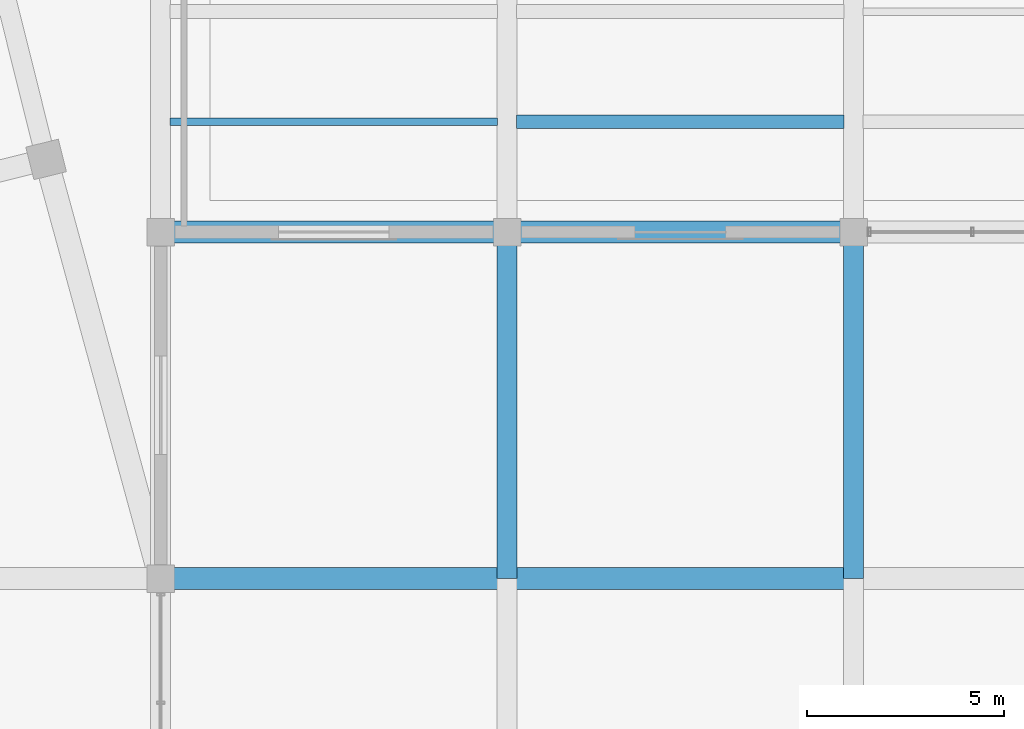
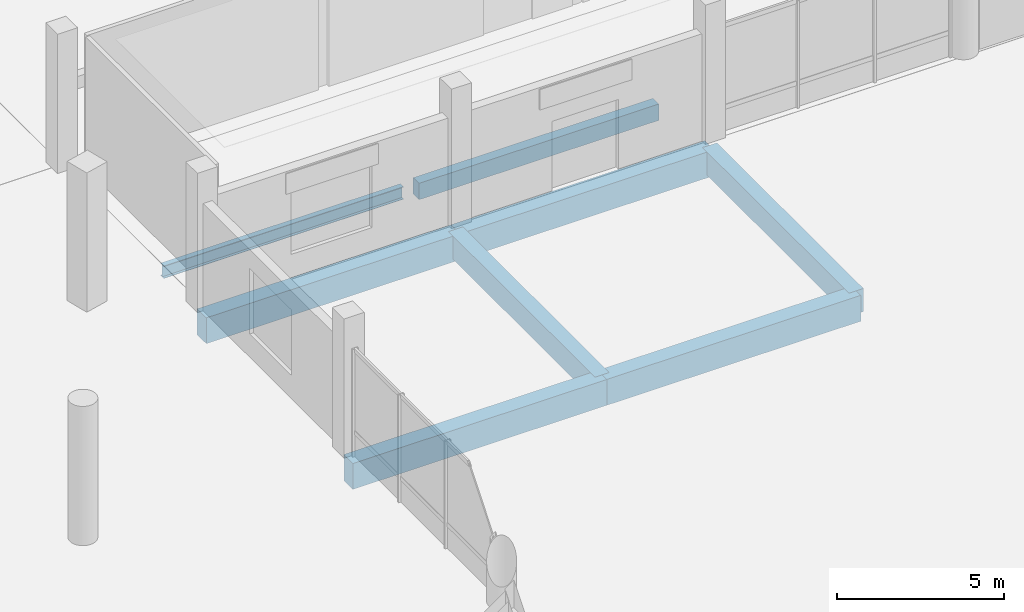
# One storey, part 20 of 73: 8 beams.
"""IFC4 building model written with IfcOpenShell, lengths in metres."""

import ifcopenshell
import ifcopenshell.guid

model = None  # the IFC model being written
_history = None  # IfcOwnerHistory: only IFC2X3 demands one
_inside = {}  # id of a spatial element -> (the spatial element, [elements in it])
_under = {}  # id of a project, library or spatial element -> (it, [spatial elements below it])
_declared = {}  # id of a project -> (the project, [libraries it declares])
_typed = {}  # id of a type object -> (the type object, [elements of that type])
_made_of = {}  # id of a material, layer set ... -> (it, [elements and type objects made of it])


def new_model(schema):
    """Start an empty IFC model of exactly this schema.

    Asked for "IFC4X3", IfcOpenShell would pick the latest addendum, in which some entities
    have other attributes; the version numbers below select the first issue.
    IFC2X3 requires an IfcOwnerHistory on every rooted entity: one is made here for all.
    """
    global model, _history
    if schema == "IFC4X3":
        model = ifcopenshell.file(schema_version=(4, 3, 0, 0))
    else:
        model = ifcopenshell.file(schema=schema)
    _inside.clear()
    _under.clear()
    _declared.clear()
    _typed.clear()
    _made_of.clear()
    _history = None
    if model.schema == "IFC2X3":
        org = make("IfcOrganization", Name="unknown")
        user = make(
            "IfcPersonAndOrganization",
            ThePerson=make("IfcPerson", FamilyName="unknown"),
            TheOrganization=org,
        )
        app = make(
            "IfcApplication",
            ApplicationDeveloper=org,
            Version="unknown",
            ApplicationFullName="unknown",
            ApplicationIdentifier="unknown",
        )
        _history = make(
            "IfcOwnerHistory",
            OwningUser=user,
            OwningApplication=app,
            ChangeAction="ADDED",
            CreationDate=0,
        )
    return model


def make(cls, **values):
    """One entity of the class cls with the attributes given. An attribute that is None is left unset."""
    return model.create_entity(
        cls, **{name: value for name, value in values.items() if value is not None}
    )


def rooted(cls, **values):
    """An entity with a GlobalId (a new one), such as an element, a storey or a relation."""
    return make(cls, GlobalId=ifcopenshell.guid.new(), OwnerHistory=_history, **values)


def si_unit(unit_type, name, prefix=None):
    """IfcSIUnit, for example si_unit("LENGTHUNIT", "METRE", prefix="MILLI")."""
    return make("IfcSIUnit", UnitType=unit_type, Prefix=prefix, Name=name)


def assignment(units):
    """IfcUnitAssignment: the units of a project."""
    return None if units is None else make("IfcUnitAssignment", Units=units)


def point(xyz):
    """IfcCartesianPoint."""
    return None if xyz is None else make("IfcCartesianPoint", Coordinates=xyz)


def direction(xyz):
    """IfcDirection."""
    return None if xyz is None else make("IfcDirection", DirectionRatios=xyz)


def frame(location, z_axis=None, x_axis=None):
    """IfcAxis2Placement3D, a coordinate frame: its origin and axes. An axis left out is left unset."""
    return make(
        "IfcAxis2Placement3D",
        Location=point(location),
        Axis=direction(z_axis),
        RefDirection=direction(x_axis),
    )


def frame_2d(location, x_axis=None):
    """IfcAxis2Placement2D, a coordinate frame in the plane: its origin and x axis."""
    return make(
        "IfcAxis2Placement2D", Location=point(location), RefDirection=direction(x_axis)
    )


def origin():
    """The frame at (0, 0, 0) with its axes left unset."""
    return frame((0.0, 0.0, 0.0))


def origin_2d():
    """The frame at (0, 0) in the plane with its x axis left unset."""
    return frame_2d((0.0, 0.0))


def place(relative_to, where):
    """IfcLocalPlacement: puts the frame where relative to a parent placement (None: the world)."""
    return make(
        "IfcLocalPlacement", PlacementRelTo=relative_to, RelativePlacement=where
    )


def context(
    kind, dimensions, precision=None, world=None, true_north=None, identifier=None
):
    """IfcGeometricRepresentationContext, for example the 3D "Model" context."""
    return make(
        "IfcGeometricRepresentationContext",
        ContextIdentifier=identifier,
        ContextType=kind,
        CoordinateSpaceDimension=dimensions,
        Precision=precision,
        WorldCoordinateSystem=world,
        TrueNorth=true_north,
    )


def subcontext(parent, identifier, kind, view, scale=None):
    """IfcGeometricRepresentationSubContext, for example "Body" below "Model"."""
    return make(
        "IfcGeometricRepresentationSubContext",
        ContextIdentifier=identifier,
        ContextType=kind,
        ParentContext=parent,
        TargetScale=scale,
        TargetView=view,
    )


def project(units=None, contexts=None):
    """IfcProject with its units and contexts."""
    return rooted(
        "IfcProject",
        Name="project",
        RepresentationContexts=contexts,
        UnitsInContext=assignment(units),
    )


def spatial(cls, under=None, at=None, **own):
    """A site, building, storey or space (cls), placed at a placement, below another one or the project."""
    s = rooted(cls, ObjectPlacement=at, **own)
    if under is not None:
        _under.setdefault(under.id(), (under, []))[1].append(s)
    return s


def profile(cls, at=None, kind="AREA", **sizes):
    """A parametric profile (cls). Its sizes go by their IFC names, for example OverallWidth=200.0."""
    return make(cls, ProfileType=kind, Position=at, **sizes)


def rectangle(**sizes):
    """IfcRectangleProfileDef."""
    return profile("IfcRectangleProfileDef", **sizes)


def i_section(**sizes):
    """IfcIShapeProfileDef."""
    return profile("IfcIShapeProfileDef", **sizes)


def extrude(swept, where, along, depth):
    """IfcExtrudedAreaSolid: the profile swept, set in the frame where, extruded along a direction by depth."""
    return make(
        "IfcExtrudedAreaSolid",
        SweptArea=swept,
        Position=where,
        ExtrudedDirection=direction(along),
        Depth=depth,
    )


def shape(context_of_items, identifier, shape_type, items):
    """IfcShapeRepresentation: the items that make up one representation, for example the "Body"."""
    return make(
        "IfcShapeRepresentation",
        ContextOfItems=context_of_items,
        RepresentationIdentifier=identifier,
        RepresentationType=shape_type,
        Items=items,
    )


def material(Name=None, Category=None):
    """IfcMaterial."""
    return make("IfcMaterial", Name=Name, Category=Category)


def material_profile(
    of_material, cross_section, Name=None, Category=None, Priority=None
):
    """IfcMaterialProfile: a cross section and its material."""
    return make(
        "IfcMaterialProfile",
        Name=Name,
        Material=of_material,
        Profile=cross_section,
        Priority=Priority,
        Category=Category,
    )


def profile_set(profiles, Name=None, composite=None):
    """IfcMaterialProfileSet."""
    return make(
        "IfcMaterialProfileSet",
        Name=Name,
        MaterialProfiles=profiles,
        CompositeProfile=composite,
    )


def made_of(thing, what):
    """Note that an element or type object is made of a material, layer set ...; save() writes the relation."""
    if what is not None:
        _made_of.setdefault(what.id(), (what, []))[1].append(thing)
    return thing


def type_object(cls, material=None, **own):
    """A type object (cls), such as IfcWallType, which elements share."""
    return made_of(rooted(cls, **own), material)


def element(
    cls,
    number,
    at=None,
    inside=None,
    cuts=None,
    type_object=None,
    material=None,
    context=None,
    identifier="Body",
    shape_type=None,
    held_by="IfcProductDefinitionShape",
    body=None,
    shapes=None,
    **own,
):
    """One element of the class cls, such as IfcWall. Its Tag is "e" and its number.

    at: its placement. inside: the storey or other place that contains it. cuts: it is an
    opening in that element (IfcRelVoidsElement). A single representation is given by context,
    identifier, shape_type and body (its items); several are given by shapes. held_by: the class
    of the entity that holds the representations. save() writes the other relations.
    """
    e = rooted(cls, Tag="e%d" % number, ObjectPlacement=at, **own)
    if body is not None:
        shapes = [shape(context, identifier, shape_type, body)]
    if shapes is not None:
        e.Representation = make(held_by, Representations=shapes)
    if inside is not None:
        _inside.setdefault(inside.id(), (inside, []))[1].append(e)
    if cuts is not None:
        rooted(
            "IfcRelVoidsElement", RelatingBuildingElement=cuts, RelatedOpeningElement=e
        )
    if type_object is not None:
        _typed.setdefault(type_object.id(), (type_object, []))[1].append(e)
    return made_of(e, material)


def aggregate(whole, parts):
    """IfcRelAggregates: a whole, such as a stair, and the parts it consists of."""
    return rooted("IfcRelAggregates", RelatingObject=whole, RelatedObjects=parts)


def save(model, path):
    """Write the relations noted so far, then the file.

    IfcRelAggregates (storeys below a building ...), IfcRelContainedInSpatialStructure (elements
    in a storey), IfcRelDefinesByType, IfcRelAssociatesMaterial and IfcRelDeclares: one each for
    every whole, place, type object, material and project.
    """
    for whole, parts in _under.values():
        aggregate(whole, parts)
    for where, things in _inside.values():
        rooted(
            "IfcRelContainedInSpatialStructure",
            RelatedElements=things,
            RelatingStructure=where,
        )
    for kind, things in _typed.values():
        rooted("IfcRelDefinesByType", RelatedObjects=things, RelatingType=kind)
    for what, things in _made_of.values():
        rooted("IfcRelAssociatesMaterial", RelatedObjects=things, RelatingMaterial=what)
    for by, libraries in _declared.values():
        rooted("IfcRelDeclares", RelatingContext=by, RelatedDefinitions=libraries)
    model.write(path)


model = new_model("IFC4")

# Units and contexts
model_context = context("Model", 3, precision=1e-05, world=origin(), true_north=direction((0.0, 1.0)))
body_context = subcontext(model_context, "Body", "Model", "MODEL_VIEW")
ifc_project = project(units=[si_unit("LENGTHUNIT", "METRE"), si_unit("AREAUNIT", "SQUARE_METRE"), si_unit("VOLUMEUNIT", "CUBIC_METRE"), si_unit("PLANEANGLEUNIT", "RADIAN"), si_unit("MASSUNIT", "GRAM", prefix="KILO")], contexts=[model_context])

# Site, building, storey
site_placement = place(None, origin())
site = spatial("IfcSite", under=ifc_project, at=site_placement, CompositionType="ELEMENT")
building_placement = place(site_placement, origin())
building = spatial("IfcBuilding", under=site, at=building_placement, Name="Meriwether Solvik Hall", CompositionType="ELEMENT")
storey_placement = place(building_placement, origin())
storey = spatial("IfcBuildingStorey", under=building, at=storey_placement, Name="L00", CompositionType="ELEMENT", Elevation=0.0)

# Beams
ifc_material_1 = material(Name="Concrete C40/50", Category="concrete")
ifc_material_profile_1 = material_profile(ifc_material_1, rectangle(XDim=0.35009765625, YDim=0.60009765625, at=origin_2d()), Name="RCB-350X600")
ifc_profile_set_1 = profile_set([ifc_material_profile_1], Name="Concrete C40/50")
beam_type_1 = type_object("IfcBeamType", Name="BM-RC-350X600", PredefinedType="JOIST", material=ifc_profile_set_1)
beam_1_placement = place(storey_placement, frame((123.2451171875, 52.800048828125, -0.659912109375), z_axis=(1.0, 0.0, 0.0), x_axis=(0.0, 1.0, 0.0)))
element("IfcBeam", 1, at=beam_1_placement, inside=storey, type_object=beam_type_1, Name="Secondary Floor Joist 14/F_J1 (L00)", PredefinedType="JOIST", context=body_context, shape_type="SweptSolid", body=[
    extrude(rectangle(XDim=0.35009765625, YDim=0.60009765625, at=origin_2d()), origin(), (0.0, 0.0, 1.0), 8.309814453125),
])
ifc_material_2 = material(Name="Concrete C40/50", Category="concrete")
ifc_material_profile_2 = material_profile(ifc_material_2, rectangle(XDim=0.5, YDim=0.85009765625, at=origin_2d()), Name="RCB-500X850")
ifc_profile_set_2 = profile_set([ifc_material_profile_2], Name="Concrete C40/50")
beam_type_2 = type_object("IfcBeamType", Name="BM-RC-500X850", PredefinedType="BEAM", material=ifc_profile_set_2)
for number, where, z_axis, x_axis, name in (
    (2, (123.0, 41.199951171875, -0.784912109375), (0.0, 1.0, 0.0), (-1.0, 0.0, 0.0), "Podium Girder 14:E-F (L00)"),
    (3, (131.800048828125, 41.199951171875, -0.784912109375), (0.0, 1.0, 0.0), (-1.0, 0.0, 0.0), "Podium Girder 15:E-F (L00)"),
):
    element("IfcBeam", number, at=place(storey_placement, frame(where, z_axis=z_axis, x_axis=x_axis)), inside=storey, type_object=beam_type_2, Name=name, PredefinedType="BEAM", context=body_context, shape_type="SweptSolid", body=[
        extrude(rectangle(XDim=0.5, YDim=0.85009765625, at=origin_2d()), origin(), (0.0, 0.0, 1.0), 8.800048828125),
    ])
ifc_material_3 = material(Name="Concrete C40/50", Category="concrete")
ifc_material_profile_3 = material_profile(ifc_material_3, rectangle(XDim=0.550048828125, YDim=0.949951171875, at=origin_2d()), Name="RCB-550X950")
ifc_profile_set_3 = profile_set([ifc_material_profile_3], Name="Concrete C40/50")
beam_type_3 = type_object("IfcBeamType", Name="BM-RC-550X950", PredefinedType="BEAM", material=ifc_profile_set_3)
for number, where, z_axis, x_axis, name in (
    (4, (114.199951171875, 41.199951171875, -0.8349609375), (1.0, 0.0, 0.0), (0.0, 1.0, 0.0), "Podium Girder E:13-14 (L00)"),
    (5, (123.0, 41.199951171875, -0.8349609375), (1.0, 0.0, 0.0), (0.0, 1.0, 0.0), "Podium Girder E:14-15 (L00)"),
    (6, (114.199951171875, 50.0, -0.8349609375), (1.0, 0.0, 0.0), (0.0, 1.0, 0.0), "Podium Girder F:13-14 (L00)"),
    (7, (123.0, 50.0, -0.8349609375), (1.0, 0.0, 0.0), (0.0, 1.0, 0.0), "Podium Girder F:14-15 (L00)"),
):
    element("IfcBeam", number, at=place(storey_placement, frame(where, z_axis=z_axis, x_axis=x_axis)), inside=storey, type_object=beam_type_3, Name=name, PredefinedType="BEAM", context=body_context, shape_type="SweptSolid", body=[
        extrude(rectangle(XDim=0.550048828125, YDim=0.949951171875, at=origin_2d()), origin(), (0.0, 0.0, 1.0), 8.800048828125),
    ])
ifc_material_4 = material(Name="Steel A992 Grade 50", Category="steel")
ifc_material_profile_4 = material_profile(ifc_material_4, i_section(OverallWidth=0.19091796875, OverallDepth=0.45703125, WebThickness=0.009033203125, FlangeThickness=0.014404296875, at=origin_2d()), Name="W18X50")
ifc_profile_set_4 = profile_set([ifc_material_profile_4], Name="Steel A992 Grade 50")
beam_type_4 = type_object("IfcBeamType", Name="BM-STL-W18X50", PredefinedType="JOIST", material=ifc_profile_set_4)
beam_2_placement = place(storey_placement, frame((114.445068359375, 52.800048828125, -0.58837890625), z_axis=(1.0, 0.0, 0.0), x_axis=(0.0, 1.0, 0.0)))
element("IfcBeam", 8, at=beam_2_placement, inside=storey, type_object=beam_type_4, Name="Secondary Floor Joist 13/F_J1 (L00)", PredefinedType="JOIST", context=body_context, shape_type="SweptSolid", body=[
    extrude(i_section(OverallWidth=0.19091796875, OverallDepth=0.45703125, WebThickness=0.009033203125, FlangeThickness=0.014404296875, at=origin_2d()), origin(), (0.0, 0.0, 1.0), 8.309814453125),
])

save(model, "model.ifc")
